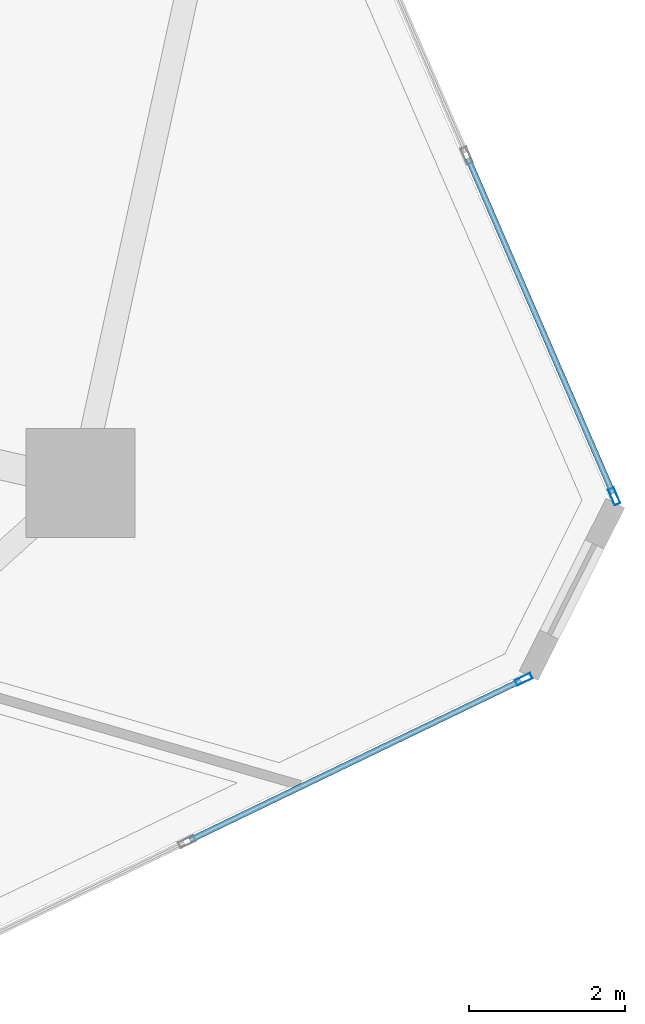
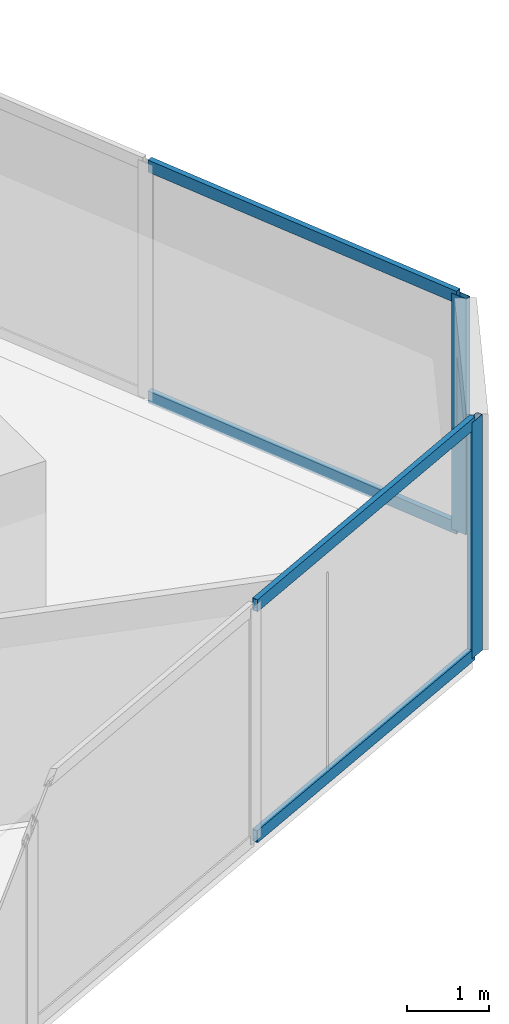
# One storey, part 10 of 23: 6 members, 2 elements without a shape of their own.
"""IFC4 building model written with IfcOpenShell, lengths in metres."""

from ifc_helpers import new_model, si_unit, direction, frame, origin, origin_2d, place, context, subcontext, project, spatial, hollow_rectangle, extrude, source, transform, mapped, material, layer, layer_set, material_profile, profile_set, type_object, type_shapes, element, aggregate, save


model = new_model("IFC4")

# Units and contexts
model_context = context("Model", 3, precision=1e-05, world=origin(), true_north=direction((0.0, 1.0)))
body_context = subcontext(model_context, "Body", "Model", "MODEL_VIEW")
ifc_project = project(units=[si_unit("LENGTHUNIT", "METRE"), si_unit("AREAUNIT", "SQUARE_METRE"), si_unit("VOLUMEUNIT", "CUBIC_METRE"), si_unit("PLANEANGLEUNIT", "RADIAN"), si_unit("MASSUNIT", "GRAM", prefix="KILO")], contexts=[model_context])

# Site, building, storey
site_placement = place(None, origin())
site = spatial("IfcSite", under=ifc_project, at=site_placement, CompositionType="ELEMENT")
building_placement = place(site_placement, origin())
building = spatial("IfcBuilding", under=site, at=building_placement, Name="Talar Marvaseh", CompositionType="ELEMENT")
storey_placement = place(building_placement, frame((0.0, 0.0, 35.39990234375)))
storey = spatial("IfcBuildingStorey", under=building, at=storey_placement, Name="L08", CompositionType="ELEMENT", Elevation=35.39990234375)

# Curtain wall, member
ifc_material = material(Name="Architectural Aluminium", Category="aluminium")
ifc_layer = layer(ifc_material, 0.219970703125)
ifc_layer_set = layer_set([ifc_layer], Name="Architectural Aluminium")
curtain_wall_type = type_object("IfcCurtainWallType", Name="Unitised Low-E Museum Curtain Wall Z1", PredefinedType="NOTDEFINED", material=ifc_layer_set)
curtain_wall_1_placement = place(storey_placement, origin())
curtain_wall_1 = element("IfcCurtainWall", 1, at=curtain_wall_1_placement, inside=storey, type_object=curtain_wall_type, Name="L08 Unitised Low-E Museum Curtain Wall Z1", PredefinedType="NOTDEFINED")
ifc_material_profile_1 = material_profile(ifc_material, hollow_rectangle(XDim=0.080078125, YDim=0.219970703125, WallThickness=0.0048828125, at=origin_2d()), Name="RHS220x80x5")
ifc_profile_set_1 = profile_set([ifc_material_profile_1], Name="Architectural Aluminium")
member_type_1 = type_object("IfcMemberType", Name="Unitised Curtain Wall Heavy Mullion RHS220x80x5", PredefinedType="MULLION", material=ifc_profile_set_1)
shared_shape_1 = source(origin(), body_context, "Body", "SweptSolid", [
    extrude(hollow_rectangle(XDim=0.080078125, YDim=0.219970703125, WallThickness=0.0048828125, at=origin_2d()), origin(), (0.0, 0.0, 1.0), 3.52001953125),
])
type_shapes(member_type_1, [shared_shape_1])
member_1_placement = place(storey_placement, frame((51.904541015625, 22.669677734375, 0.0), z_axis=(0.0, 0.0, 1.0), x_axis=(0.917727793026, 0.397209891503, 0.0)))
member_1 = element("IfcMember", 2, at=member_1_placement, type_object=member_type_1, Name="CW-Z1 mullion 5", PredefinedType="MULLION", context=body_context, shape_type="MappedRepresentation", body=[
    mapped(shared_shape_1, transform((0.0, 0.0, 0.0), x_axis=(1.0, 0.0, 0.0), y_axis=(0.0, 1.0, 0.0), z_axis=(0.0, 0.0, 1.0), scale=1.0)),
])

curtain_wall_2_placement = place(storey_placement, origin())
curtain_wall_2 = element("IfcCurtainWall", 3, at=curtain_wall_2_placement, inside=storey, type_object=curtain_wall_type, Name="L08 Unitised Low-E Museum Curtain Wall Z1", PredefinedType="NOTDEFINED")
member_2_placement = place(storey_placement, frame((50.739990234375, 20.318115234375, 0.0), z_axis=(0.0, 0.0, 1.0), x_axis=(0.434307139856, -0.900764846267, 0.0)))
member_2 = element("IfcMember", 4, at=member_2_placement, type_object=member_type_1, Name="CW-Z1 mullion 1", PredefinedType="MULLION", context=body_context, shape_type="MappedRepresentation", body=[
    mapped(shared_shape_1, transform((0.0, 0.0, 0.0), x_axis=(1.0, 0.0, 0.0), y_axis=(0.0, 1.0, 0.0), z_axis=(0.0, 0.0, 1.0), scale=1.0)),
])

# Member
ifc_material_profile_2 = material_profile(ifc_material, hollow_rectangle(XDim=0.074951171875, YDim=0.179931640625, WallThickness=0.0048828125, at=origin_2d()), Name="RHS180x75x5")
ifc_profile_set_2 = profile_set([ifc_material_profile_2], Name="Architectural Aluminium")
member_type_2 = type_object("IfcMemberType", Name="Unitised Curtain Wall Transom RHS180x75x5", PredefinedType="USERDEFINED", material=ifc_profile_set_2)
shared_shape_2 = source(origin(), body_context, "Body", "SweptSolid", [
    extrude(hollow_rectangle(XDim=0.074951171875, YDim=0.179931640625, WallThickness=0.0048828125, at=origin_2d()), origin(), (0.0, 0.0, 1.0), 4.69677734375),
])
member_3_placement = place(storey_placement, frame((50.023193359375, 27.0166015625, 0.03759765625), z_axis=(0.397191641024, -0.917735691962, 0.0), x_axis=(0.917735691962, 0.397191641024, 0.0)))
member_3 = element("IfcMember", 5, at=member_3_placement, type_object=member_type_2, Name="CW-Z1 transom 4.1", ObjectType="TRANSOM", PredefinedType="USERDEFINED", context=body_context, shape_type="MappedRepresentation", body=[
    mapped(shared_shape_2, transform((0.0, 0.0, 0.0), x_axis=(1.0, 0.0, 0.0), y_axis=(0.0, 1.0, 0.0), z_axis=(0.0, 0.0, 1.0), scale=1.0)),
])

member_4_placement = place(storey_placement, frame((50.023193359375, 27.0166015625, 3.482666015625), z_axis=(0.397191641024, -0.917735691962, 0.0), x_axis=(0.917735691962, 0.397191641024, 0.0)))
member_4 = element("IfcMember", 6, at=member_4_placement, type_object=member_type_2, Name="CW-Z1 transom 4.2", ObjectType="TRANSOM", PredefinedType="USERDEFINED", context=body_context, shape_type="MappedRepresentation", body=[
    mapped(shared_shape_2, transform((0.0, 0.0, 0.0), x_axis=(1.0, 0.0, 0.0), y_axis=(0.0, 1.0, 0.0), z_axis=(0.0, 0.0, 1.0), scale=1.0)),
])

aggregate(curtain_wall_1, [member_1, member_3, member_4])

shared_shape_3 = source(origin(), body_context, "Body", "SweptSolid", [
    extrude(hollow_rectangle(XDim=0.074951171875, YDim=0.179931640625, WallThickness=0.0048828125, at=origin_2d()), origin(), (0.0, 0.0, 1.0), 4.7255859375),
])
type_shapes(member_type_2, [shared_shape_2, shared_shape_3])
member_5_placement = place(storey_placement, frame((50.7041015625, 20.30078125, 0.03759765625), z_axis=(-0.900771929595, -0.434292448533, 0.0), x_axis=(0.434292448533, -0.900771929595, 0.0)))
member_5 = element("IfcMember", 7, at=member_5_placement, type_object=member_type_2, Name="CW-Z1 transom 1.1", ObjectType="TRANSOM", PredefinedType="USERDEFINED", context=body_context, shape_type="MappedRepresentation", body=[
    mapped(shared_shape_3, transform((0.0, 0.0, 0.0), x_axis=(1.0, 0.0, 0.0), y_axis=(0.0, 1.0, 0.0), z_axis=(0.0, 0.0, 1.0), scale=1.0)),
])

member_6_placement = place(storey_placement, frame((50.7041015625, 20.30078125, 3.482666015625), z_axis=(-0.900771929595, -0.434292448533, 0.0), x_axis=(0.434292448533, -0.900771929595, 0.0)))
member_6 = element("IfcMember", 8, at=member_6_placement, type_object=member_type_2, Name="CW-Z1 transom 1.2", ObjectType="TRANSOM", PredefinedType="USERDEFINED", context=body_context, shape_type="MappedRepresentation", body=[
    mapped(shared_shape_3, transform((0.0, 0.0, 0.0), x_axis=(1.0, 0.0, 0.0), y_axis=(0.0, 1.0, 0.0), z_axis=(0.0, 0.0, 1.0), scale=1.0)),
])

aggregate(curtain_wall_2, [member_2, member_5, member_6])

save(model, "model.ifc")
